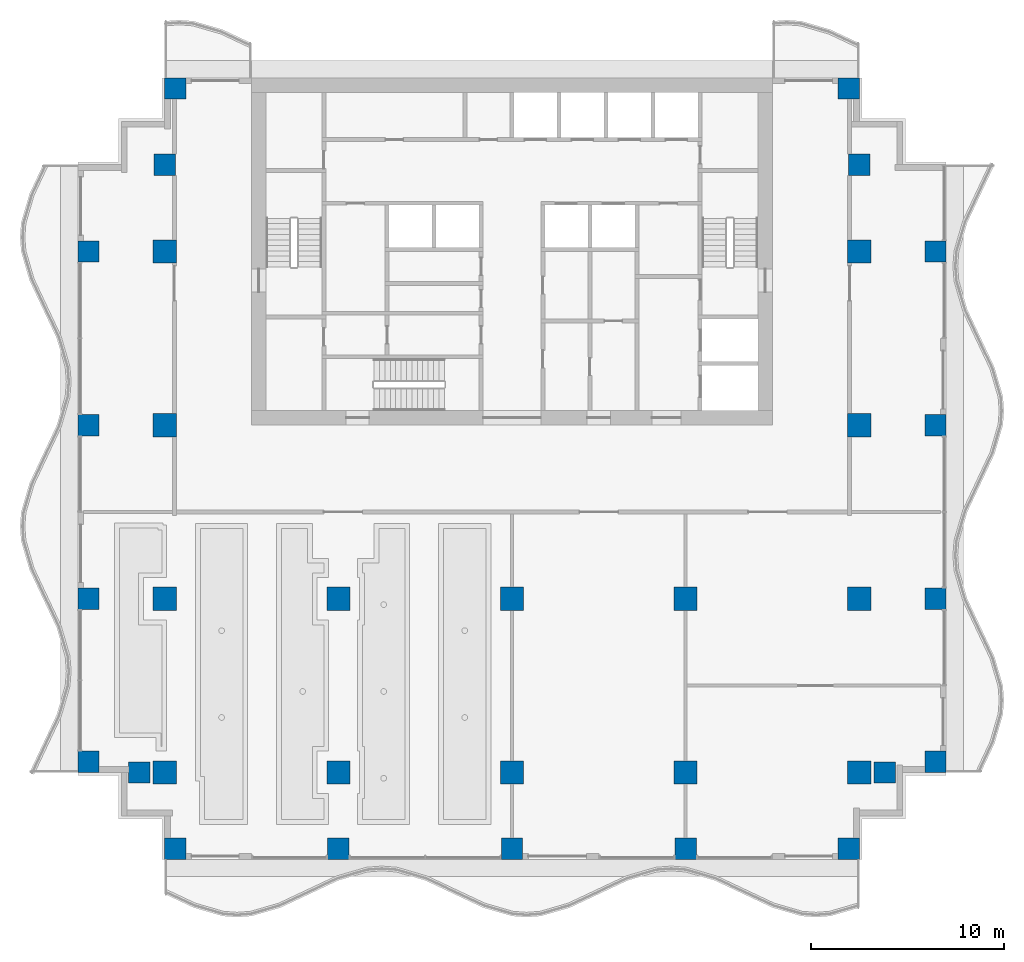
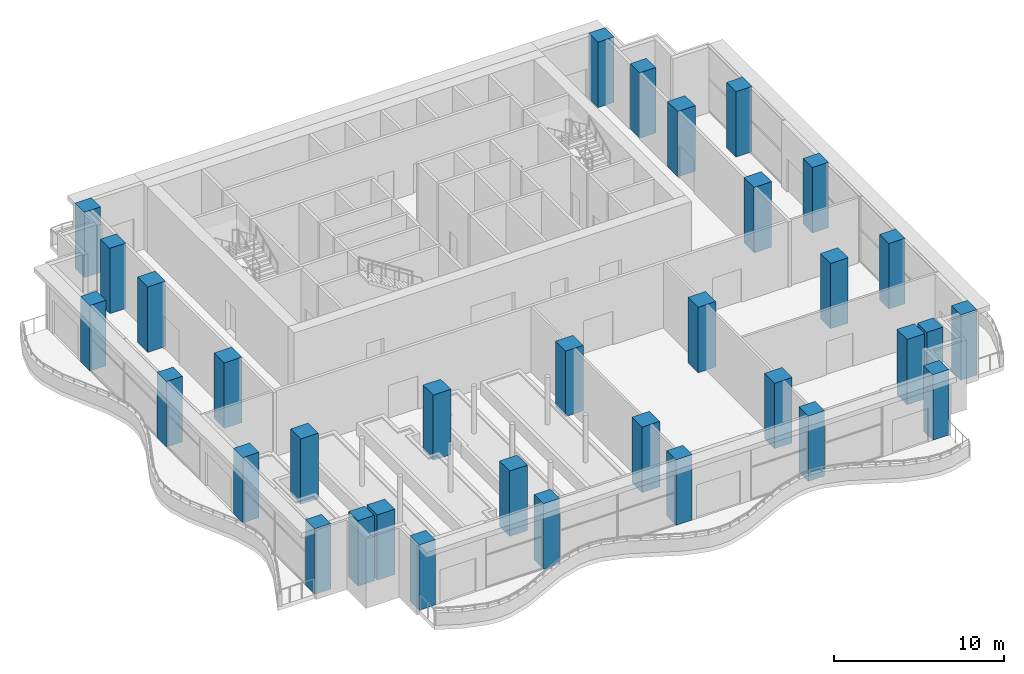
# One storey, part 1 of 16: 33 columns.
"""IFC4 building model written with IfcOpenShell, lengths in metres."""

from ifc_helpers import new_model, si_unit, direction, frame, origin, origin_2d, place, context, subcontext, project, spatial, rectangle, extrude, material, material_profile, profile_set, type_object, element, save


model = new_model("IFC4")

# Units and contexts
model_context = context("Model", 3, precision=1e-05, world=origin(), true_north=direction((0.0, 1.0)))
body_context = subcontext(model_context, "Body", "Model", "MODEL_VIEW")
ifc_project = project(units=[si_unit("LENGTHUNIT", "METRE"), si_unit("AREAUNIT", "SQUARE_METRE"), si_unit("VOLUMEUNIT", "CUBIC_METRE"), si_unit("PLANEANGLEUNIT", "RADIAN"), si_unit("MASSUNIT", "GRAM", prefix="KILO")], contexts=[model_context])

# Site, building, storey
site_placement = place(None, origin())
site = spatial("IfcSite", under=ifc_project, at=site_placement, CompositionType="ELEMENT")
building_placement = place(site_placement, origin())
building = spatial("IfcBuilding", under=site, at=building_placement, Name="Orbiselva Terraces", CompositionType="ELEMENT")
storey_placement = place(building_placement, frame((0.0, 0.0, 174.4)))
storey = spatial("IfcBuildingStorey", under=building, at=storey_placement, Name="L44", CompositionType="ELEMENT", Elevation=174.4)

# Columns
ifc_material = material(Name="Concrete C60/75", Category="concrete")
ifc_material_profile_1 = material_profile(ifc_material, rectangle(XDim=1.2, YDim=1.2, at=origin_2d()), Name="RC 1200x1200")
ifc_profile_set_1 = profile_set([ifc_material_profile_1], Name="Concrete C60/75")
column_type_1 = type_object("IfcColumnType", Name="COLUMN RC 1200x1200", PredefinedType="COLUMN", material=ifc_profile_set_1)
for number, where, z_axis, x_axis, name in (
    (1, (-18.0, -13.5, 0.0), (0.0, 0.0, 1.0), (1.0, 0.0, 0.0), "Column L44-01"),
    (2, (-18.0, -4.5, 0.0), (0.0, 0.0, 1.0), (1.0, 0.0, 0.0), "Column L44-03"),
    (3, (-18.0, 13.5, 0.0), (0.0, 0.0, 1.0), (1.0, 0.0, 0.0), "Column L44-04"),
    (4, (-18.0, 4.5, 0.0), (0.0, 0.0, 1.0), (1.0, 0.0, 0.0), "Column L44-06"),
    (5, (-9.0, -13.5, 0.0), (0.0, 0.0, 1.0), (1.0, 0.0, 0.0), "Column L44-13"),
    (6, (-9.0, -4.5, 0.0), (0.0, 0.0, 1.0), (1.0, 0.0, 0.0), "Column L44-15"),
    (7, (0.0, -13.5, 0.0), (0.0, 0.0, 1.0), (1.0, 0.0, 0.0), "Column L44-16"),
    (8, (0.0, -4.5, 0.0), (0.0, 0.0, 1.0), (1.0, 0.0, 0.0), "Column L44-18"),
    (9, (18.0, -13.5, 0.0), (0.0, 0.0, 1.0), (1.0, 0.0, 0.0), "Column L44-19"),
    (10, (18.0, -4.5, 0.0), (0.0, 0.0, 1.0), (1.0, 0.0, 0.0), "Column L44-21"),
    (11, (18.0, 13.5, 0.0), (0.0, 0.0, 1.0), (1.0, 0.0, 0.0), "Column L44-22"),
    (12, (18.0, 4.5, 0.0), (0.0, 0.0, 1.0), (1.0, 0.0, 0.0), "Column L44-24"),
    (13, (9.0, -13.5, 0.0), (0.0, 0.0, 1.0), (1.0, 0.0, 0.0), "Column L44-31"),
    (14, (9.0, -4.5, 0.0), (0.0, 0.0, 1.0), (1.0, 0.0, 0.0), "Column L44-33"),
):
    element("IfcColumn", number, at=place(storey_placement, frame(where, z_axis=z_axis, x_axis=x_axis)), inside=storey, type_object=column_type_1, Name=name, PredefinedType="COLUMN", context=body_context, shape_type="SweptSolid", body=[
        extrude(rectangle(XDim=1.2, YDim=1.2, at=origin_2d()), origin(), (0.0, 0.0, 1.0), 4.7),
    ])
ifc_material_profile_2 = material_profile(ifc_material, rectangle(XDim=1.1, YDim=1.1, at=origin_2d()), Name="RC 1100x1100")
ifc_profile_set_2 = profile_set([ifc_material_profile_2], Name="Concrete C60/75")
column_type_2 = type_object("IfcColumnType", Name="PERIMETER COLUMN RC 1100x1100", PredefinedType="COLUMN", material=ifc_profile_set_2)
for number, where, z_axis, x_axis, name in (
    (15, (-17.45, -17.45, 0.0), (0.0, 0.0, 1.0), (1.0, 0.0, 0.0), "Column L44-02"),
    (16, (-17.45, 21.95, 0.0), (0.0, 0.0, 1.0), (1.0, 0.0, 0.0), "Column L44-05"),
    (17, (-21.95, -12.95, 0.0), (0.0, 0.0, 1.0), (1.0, 0.0, 0.0), "Column L44-07"),
    (18, (-19.32, -13.5, 0.0), (0.0, 0.0, 1.0), (1.0, 0.0, 0.0), "Column L44-08"),
    (19, (-21.95, -4.5, 0.0), (0.0, 0.0, 1.0), (1.0, 0.0, 0.0), "Column L44-09"),
    (20, (-21.95, 13.5, 0.0), (0.0, 0.0, 1.0), (1.0, 0.0, 0.0), "Column L44-10"),
    (21, (-18.0, 18.0, 0.0), (0.0, 0.0, 1.0), (1.0, 0.0, 0.0), "Column L44-11"),
    (22, (-21.95, 4.5, 0.0), (0.0, 0.0, 1.0), (1.0, 0.0, 0.0), "Column L44-12"),
    (23, (-9.0, -17.45, 0.0), (0.0, 0.0, 1.0), (1.0, 0.0, 0.0), "Column L44-14"),
    (24, (0.0, -17.45, 0.0), (0.0, 0.0, 1.0), (1.0, 0.0, 0.0), "Column L44-17"),
    (25, (17.45, -17.45, 0.0), (0.0, 0.0, 1.0), (1.0, 0.0, 0.0), "Column L44-20"),
    (26, (17.45, 21.95, 0.0), (0.0, 0.0, 1.0), (1.0, 0.0, 0.0), "Column L44-23"),
    (27, (21.95, -12.95, 0.0), (0.0, 0.0, 1.0), (1.0, 0.0, 0.0), "Column L44-25"),
    (28, (19.32, -13.5, 0.0), (0.0, 0.0, 1.0), (1.0, 0.0, 0.0), "Column L44-26"),
    (29, (21.95, -4.5, 0.0), (0.0, 0.0, 1.0), (1.0, 0.0, 0.0), "Column L44-27"),
    (30, (21.95, 13.5, 0.0), (0.0, 0.0, 1.0), (1.0, 0.0, 0.0), "Column L44-28"),
    (31, (18.0, 18.0, 0.0), (0.0, 0.0, 1.0), (1.0, 0.0, 0.0), "Column L44-29"),
    (32, (21.95, 4.5, 0.0), (0.0, 0.0, 1.0), (1.0, 0.0, 0.0), "Column L44-30"),
    (33, (9.0, -17.45, 0.0), (0.0, 0.0, 1.0), (1.0, 0.0, 0.0), "Column L44-32"),
):
    element("IfcColumn", number, at=place(storey_placement, frame(where, z_axis=z_axis, x_axis=x_axis)), inside=storey, type_object=column_type_2, Name=name, PredefinedType="COLUMN", context=body_context, shape_type="SweptSolid", body=[
        extrude(rectangle(XDim=1.1, YDim=1.1, at=origin_2d()), origin(), (0.0, 0.0, 1.0), 4.7),
    ])

save(model, "model.ifc")
